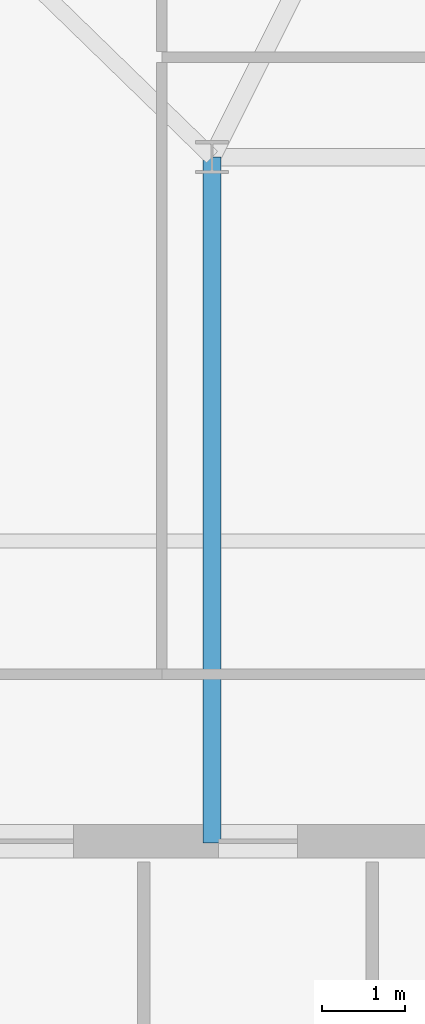
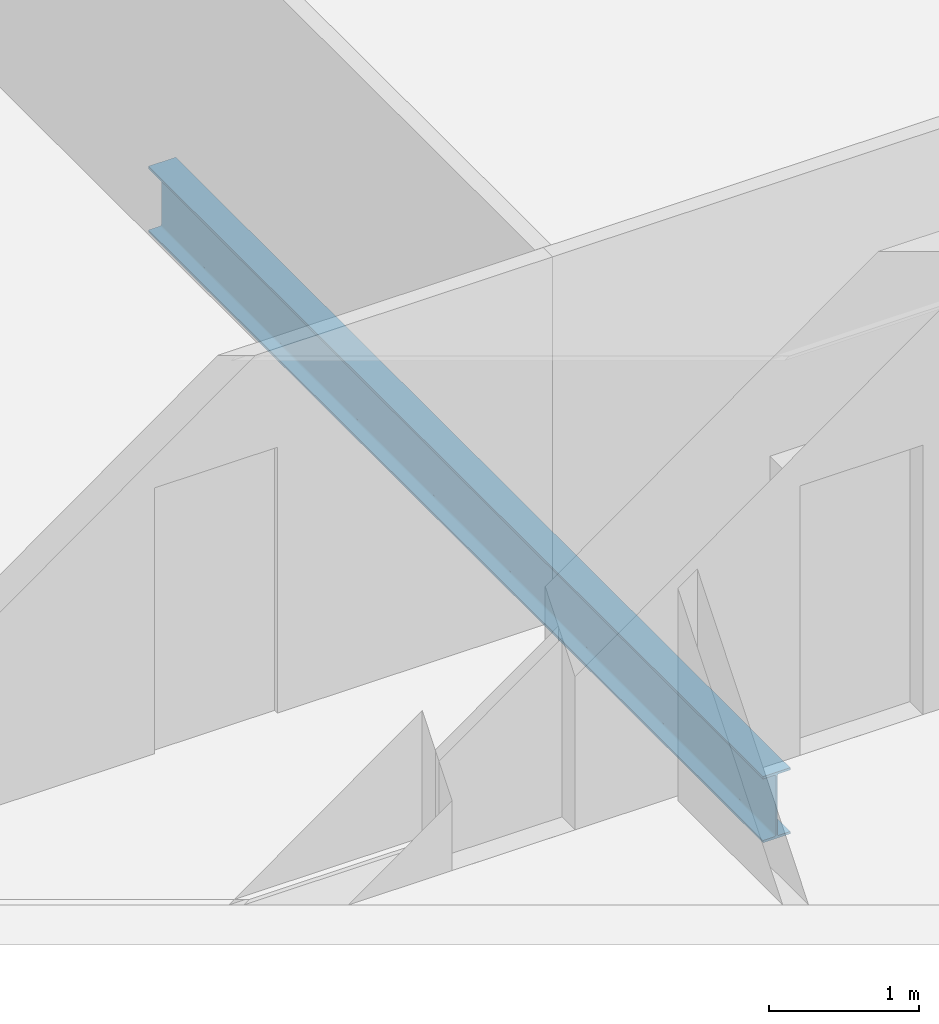
# One storey, part 5 of 37: 1 beam.
"""IFC4 building model written with IfcOpenShell, lengths in metres."""

from ifc_helpers import new_model, si_unit, direction, frame, origin, origin_2d, place, context, subcontext, project, spatial, i_section, extrude, material, material_profile, profile_set, type_object, element, save


model = new_model("IFC4")

# Units and contexts
model_context = context("Model", 3, precision=1e-05, world=origin(), true_north=direction((0.0, 1.0)))
body_context = subcontext(model_context, "Body", "Model", "MODEL_VIEW")
ifc_project = project(units=[si_unit("LENGTHUNIT", "METRE"), si_unit("AREAUNIT", "SQUARE_METRE"), si_unit("VOLUMEUNIT", "CUBIC_METRE"), si_unit("PLANEANGLEUNIT", "RADIAN"), si_unit("MASSUNIT", "GRAM", prefix="KILO")], contexts=[model_context])

# Site, building, storey
site_placement = place(None, origin())
site = spatial("IfcSite", under=ifc_project, at=site_placement, CompositionType="ELEMENT")
building_placement = place(site_placement, origin())
building = spatial("IfcBuilding", under=site, at=building_placement, Name="Ndaravel Arena Tower", CompositionType="ELEMENT")
storey_placement = place(building_placement, frame((0.0, 0.0, 218.0)))
storey = spatial("IfcBuildingStorey", under=building, at=storey_placement, Name="L52", CompositionType="ELEMENT", Elevation=218.0)

# Beam
ifc_material = material(Name="Steel S355", Category="steel")
ifc_material_profile = material_profile(ifc_material, i_section(OverallWidth=0.210693359375, OverallDepth=0.53955078125, WebThickness=0.01171875, FlangeThickness=0.018798828125, FilletRadius=0.0126953125, at=origin_2d()), Name="UB 533x210x109")
ifc_profile_set = profile_set([ifc_material_profile], Name="Steel S355")
beam_type = type_object("IfcBeamType", Name="BM-GIRD-UB533", PredefinedType="BEAM", material=ifc_profile_set)
beam_placement = place(storey_placement, frame((34.199951171875, 14.97998046875, -0.48974609375), z_axis=(0.0, 1.0, 0.0), x_axis=(-1.0, 0.0, 0.0)))
element("IfcBeam", 1, at=beam_placement, inside=storey, type_object=beam_type, Name="L52 Spine Link Girder SLG-01", PredefinedType="BEAM", context=body_context, shape_type="SweptSolid", body=[
    extrude(i_section(OverallWidth=0.210693359375, OverallDepth=0.53955078125, WebThickness=0.01171875, FlangeThickness=0.018798828125, FilletRadius=0.0126953125, at=origin_2d()), origin(), (0.0, 0.0, 1.0), 8.219970703125),
])

save(model, "model.ifc")
